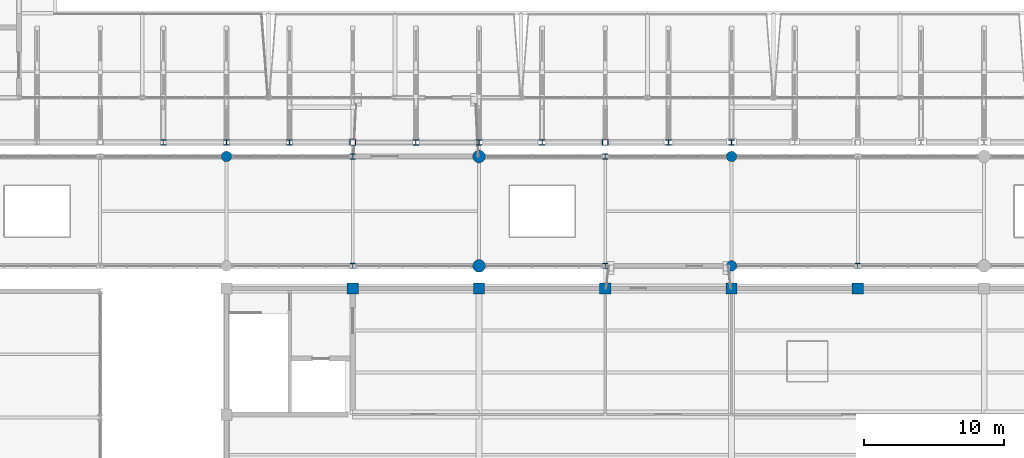
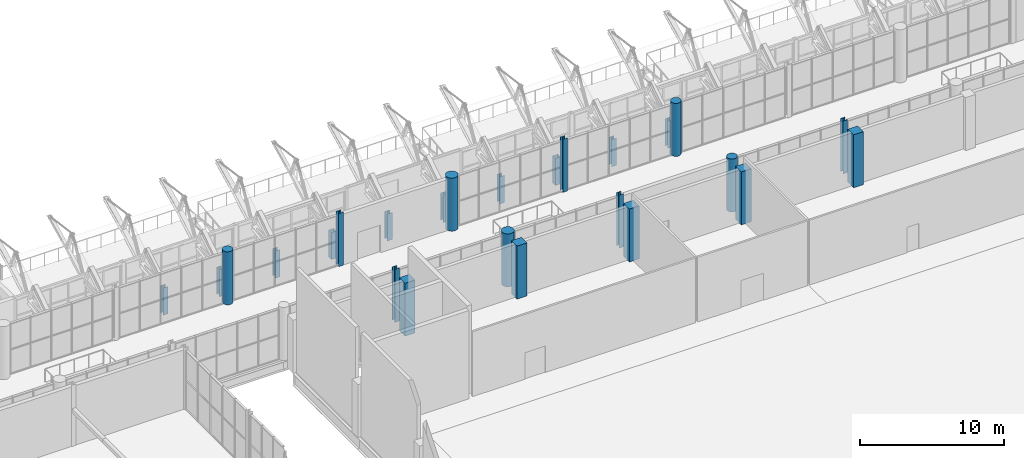
# One storey, part 6 of 134: 25 columns.
"""IFC4 building model written with IfcOpenShell, lengths in metres."""

from ifc_helpers import new_model, si_unit, direction, frame, origin, origin_2d, place, context, subcontext, project, spatial, rectangle, hollow_rectangle, circle, i_section, extrude, material, material_profile, profile_set, type_object, element, save


model = new_model("IFC4")

# Units and contexts
model_context = context("Model", 3, precision=1e-05, world=origin(), true_north=direction((0.0, 1.0)))
body_context = subcontext(model_context, "Body", "Model", "MODEL_VIEW")
ifc_project = project(units=[si_unit("LENGTHUNIT", "METRE"), si_unit("AREAUNIT", "SQUARE_METRE"), si_unit("VOLUMEUNIT", "CUBIC_METRE"), si_unit("PLANEANGLEUNIT", "RADIAN"), si_unit("MASSUNIT", "GRAM", prefix="KILO")], contexts=[model_context])

# Site, building, storey
site_placement = place(None, origin())
site = spatial("IfcSite", under=ifc_project, at=site_placement, CompositionType="ELEMENT")
building_placement = place(site_placement, origin())
building = spatial("IfcBuilding", under=site, at=building_placement, Name="Cazmaro Siding Exhibition Halls", CompositionType="ELEMENT")
storey_placement = place(building_placement, frame((0.0, 0.0, 12.0)))
storey = spatial("IfcBuildingStorey", under=building, at=storey_placement, Name="L02", CompositionType="ELEMENT", Elevation=12.0)

# Columns
ifc_material_1 = material(Name="Steel ASTM A992 Grade 50", Category="steel")
ifc_material_profile_1 = material_profile(ifc_material_1, i_section(OverallWidth=0.39208984375, OverallDepth=0.3759765625, WebThickness=0.01708984375, FlangeThickness=0.028076171875, at=origin_2d()), Name="W14X145")
ifc_profile_set_1 = profile_set([ifc_material_profile_1], Name="Steel ASTM A992 Grade 50")
column_type_1 = type_object("IfcColumnType", Name="C-03", PredefinedType="COLUMN", material=ifc_profile_set_1)
for number, where, z_axis, x_axis, name in (
    (1, (67.5, 64.0, 0.0), (0.0, 0.0, 1.0), (1.0, 0.0, 0.0), "Column C-03 COL-0033"),
    (2, (76.5, 64.0, 0.0), (0.0, 0.0, 1.0), (1.0, 0.0, 0.0), "Column C-03 COL-0045"),
    (3, (85.5, 64.0, 0.0), (0.0, 0.0, 1.0), (1.0, 0.0, 0.0), "Column C-03 COL-0057"),
    (4, (94.5, 64.0, 0.0), (0.0, 0.0, 1.0), (1.0, 0.0, 0.0), "Column C-03 COL-0069"),
    (5, (103.5, 64.0, 0.0), (0.0, 0.0, 1.0), (1.0, 0.0, 0.0), "Column C-03 COL-0081"),
):
    element("IfcColumn", number, at=place(storey_placement, frame(where, z_axis=z_axis, x_axis=x_axis)), inside=storey, type_object=column_type_1, Name=name, PredefinedType="COLUMN", context=body_context, shape_type="SweptSolid", body=[
        extrude(i_section(OverallWidth=0.39208984375, OverallDepth=0.3759765625, WebThickness=0.01708984375, FlangeThickness=0.028076171875, at=origin_2d()), origin(), (0.0, 0.0, 1.0), 2.300048828125),
    ])
ifc_material_2 = material(Name="Concrete f'c 45 MPa", Category="concrete")
ifc_material_profile_2 = material_profile(ifc_material_2, rectangle(XDim=0.800048828125, YDim=0.800048828125, at=origin_2d()), Name="RC800X800")
ifc_profile_set_2 = profile_set([ifc_material_profile_2], Name="Concrete f'c 45 MPa")
column_type_2 = type_object("IfcColumnType", Name="C-08", PredefinedType="COLUMN", material=ifc_profile_set_2)
for number, where, z_axis, x_axis, name in (
    (6, (81.0, 53.60009765625, 0.0), (0.0, 0.0, 1.0), (1.0, 0.0, 0.0), "Column C-08 COL-0575"),
    (7, (90.0, 53.60009765625, 0.0), (0.0, 0.0, 1.0), (1.0, 0.0, 0.0), "Column C-08 COL-0579"),
    (8, (99.0, 53.60009765625, 0.0), (0.0, 0.0, 1.0), (1.0, 0.0, 0.0), "Column C-08 COL-0587"),
    (9, (108.0, 53.60009765625, 0.0), (0.0, 0.0, 1.0), (1.0, 0.0, 0.0), "Column C-08 COL-0591"),
    (10, (117.0, 53.60009765625, 0.0), (0.0, 0.0, 1.0), (1.0, 0.0, 0.0), "Column C-08 COL-0599"),
):
    element("IfcColumn", number, at=place(storey_placement, frame(where, z_axis=z_axis, x_axis=x_axis)), inside=storey, type_object=column_type_2, Name=name, PredefinedType="COLUMN", context=body_context, shape_type="SweptSolid", body=[
        extrude(rectangle(XDim=0.800048828125, YDim=0.800048828125, at=origin_2d()), origin(), (0.0, 0.0, 1.0), 4.5),
    ])
ifc_material_3 = material(Name="Concrete f'c 45 MPa", Category="concrete")
ifc_material_profile_3 = material_profile(ifc_material_3, circle(Radius=0.449951171875, at=origin_2d()), Name="RC900DIA")
ifc_profile_set_3 = profile_set([ifc_material_profile_3], Name="Concrete f'c 45 MPa")
column_type_3 = type_object("IfcColumnType", Name="C-09", PredefinedType="COLUMN", material=ifc_profile_set_3)
for number, where, z_axis, x_axis, name in (
    (11, (90.0, 55.199951171875, 0.0), (0.0, 0.0, 1.0), (1.0, 0.0, 0.0), "Column C-09 COL-0743"),
    (12, (90.0, 63.0, 0.0), (0.0, 0.0, 1.0), (1.0, 0.0, 0.0), "Column C-09 COL-0746"),
):
    element("IfcColumn", number, at=place(storey_placement, frame(where, z_axis=z_axis, x_axis=x_axis)), inside=storey, type_object=column_type_3, Name=name, PredefinedType="COLUMN", context=body_context, shape_type="SweptSolid", body=[
        extrude(circle(Radius=0.449951171875, at=origin_2d()), origin(), (0.0, 0.0, 1.0), 4.5),
    ])
ifc_material_4 = material(Name="Steel ASTM A992 Grade 50", Category="steel")
ifc_material_profile_4 = material_profile(ifc_material_4, i_section(OverallWidth=0.39892578125, OverallDepth=0.386962890625, WebThickness=0.02099609375, FlangeThickness=0.032958984375, at=origin_2d()), Name="W14X176")
ifc_profile_set_4 = profile_set([ifc_material_profile_4], Name="Steel ASTM A992 Grade 50")
column_type_4 = type_object("IfcColumnType", Name="C-11", PredefinedType="COLUMN", material=ifc_profile_set_4)
for number, where, z_axis, x_axis, name in (
    (13, (72.0, 64.0, 0.0), (0.0, 0.0, 1.0), (1.0, 0.0, 0.0), "Column C-11 COL-0039"),
    (14, (90.0, 64.0, 0.0), (0.0, 0.0, 1.0), (1.0, 0.0, 0.0), "Column C-11 COL-0063"),
    (15, (108.0, 64.0, 0.0), (0.0, 0.0, 1.0), (1.0, 0.0, 0.0), "Column C-11 COL-0087"),
):
    element("IfcColumn", number, at=place(storey_placement, frame(where, z_axis=z_axis, x_axis=x_axis)), inside=storey, type_object=column_type_4, Name=name, PredefinedType="COLUMN", context=body_context, shape_type="SweptSolid", body=[
        extrude(i_section(OverallWidth=0.39892578125, OverallDepth=0.386962890625, WebThickness=0.02099609375, FlangeThickness=0.032958984375, at=origin_2d()), origin(), (0.0, 0.0, 1.0), 2.300048828125),
    ])
ifc_material_5 = material(Name="Steel ASTM A992 Grade 50", Category="steel")
ifc_material_profile_5 = material_profile(ifc_material_5, i_section(OverallWidth=0.37109375, OverallDepth=0.364013671875, WebThickness=0.012939453125, FlangeThickness=0.02197265625, at=origin_2d()), Name="W14X109")
ifc_profile_set_5 = profile_set([ifc_material_profile_5], Name="Steel ASTM A992 Grade 50")
column_type_5 = type_object("IfcColumnType", Name="C-12", PredefinedType="COLUMN", material=ifc_profile_set_5)
for number, where, z_axis, x_axis, name in (
    (16, (81.0, 55.199951171875, 0.0), (0.0, 0.0, 1.0), (1.0, 0.0, 0.0), "Column C-12 COL-0737"),
    (17, (81.0, 63.0, 0.0), (0.0, 0.0, 1.0), (1.0, 0.0, 0.0), "Column C-12 COL-0740"),
    (18, (99.0, 55.199951171875, 0.0), (0.0, 0.0, 1.0), (1.0, 0.0, 0.0), "Column C-12 COL-0749"),
    (19, (99.0, 63.0, 0.0), (0.0, 0.0, 1.0), (1.0, 0.0, 0.0), "Column C-12 COL-0752"),
    (20, (117.0, 55.199951171875, 0.0), (0.0, 0.0, 1.0), (1.0, 0.0, 0.0), "Column C-12 COL-0761"),
):
    element("IfcColumn", number, at=place(storey_placement, frame(where, z_axis=z_axis, x_axis=x_axis)), inside=storey, type_object=column_type_5, Name=name, PredefinedType="COLUMN", context=body_context, shape_type="SweptSolid", body=[
        extrude(i_section(OverallWidth=0.37109375, OverallDepth=0.364013671875, WebThickness=0.012939453125, FlangeThickness=0.02197265625, at=origin_2d()), origin(), (0.0, 0.0, 1.0), 4.5),
    ])
ifc_material_6 = material(Name="Steel ASTM A500 Grade C", Category="steel")
ifc_material_profile_6 = material_profile(ifc_material_6, hollow_rectangle(XDim=0.406005859375, YDim=0.406005859375, WallThickness=0.014892578125, at=origin_2d()), Name="HSS16X16X5/8")
ifc_profile_set_6 = profile_set([ifc_material_profile_6], Name="Steel ASTM A500 Grade C")
column_type_6 = type_object("IfcColumnType", Name="PL-01", PredefinedType="PILASTER", material=ifc_profile_set_6)
for number, where, z_axis, x_axis, name in (
    (21, (81.0, 64.0, 0.0), (0.0, 0.0, 1.0), (1.0, 0.0, 0.0), "Column PL-01 COL-0051"),
    (22, (99.0, 64.0, 0.0), (0.0, 0.0, 1.0), (1.0, 0.0, 0.0), "Column PL-01 COL-0075"),
):
    element("IfcColumn", number, at=place(storey_placement, frame(where, z_axis=z_axis, x_axis=x_axis)), inside=storey, type_object=column_type_6, Name=name, PredefinedType="PILASTER", context=body_context, shape_type="SweptSolid", body=[
        extrude(hollow_rectangle(XDim=0.406005859375, YDim=0.406005859375, WallThickness=0.014892578125, at=origin_2d()), origin(), (0.0, 0.0, 1.0), 2.300048828125),
    ])
ifc_material_7 = material(Name="Concrete f'c 45 MPa", Category="concrete")
ifc_material_profile_7 = material_profile(ifc_material_7, circle(Radius=0.375, at=origin_2d()), Name="RC750DIA")
ifc_profile_set_7 = profile_set([ifc_material_profile_7], Name="Concrete f'c 45 MPa")
column_type_7 = type_object("IfcColumnType", Name="PL-03", PredefinedType="PILASTER", material=ifc_profile_set_7)
for number, where, z_axis, x_axis, name in (
    (23, (72.0, 63.0, 0.0), (0.0, 0.0, 1.0), (1.0, 0.0, 0.0), "Column PL-03 COL-0734"),
    (24, (108.0, 55.199951171875, 0.0), (0.0, 0.0, 1.0), (1.0, 0.0, 0.0), "Column PL-03 COL-0755"),
    (25, (108.0, 63.0, 0.0), (0.0, 0.0, 1.0), (1.0, 0.0, 0.0), "Column PL-03 COL-0758"),
):
    element("IfcColumn", number, at=place(storey_placement, frame(where, z_axis=z_axis, x_axis=x_axis)), inside=storey, type_object=column_type_7, Name=name, PredefinedType="PILASTER", context=body_context, shape_type="SweptSolid", body=[
        extrude(circle(Radius=0.375, at=origin_2d()), origin(), (0.0, 0.0, 1.0), 4.5),
    ])

save(model, "model.ifc")
